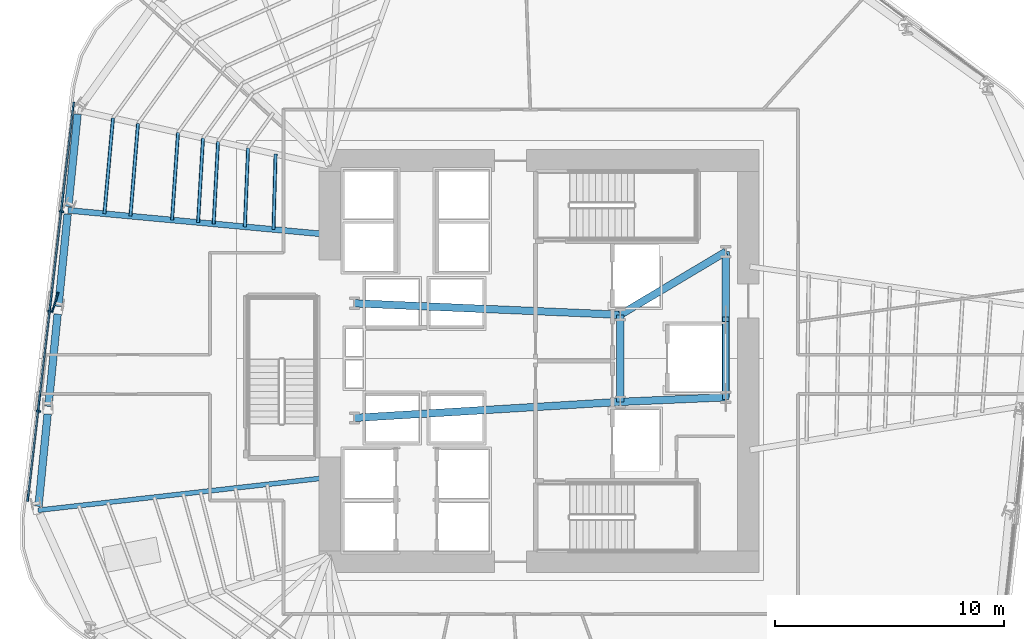
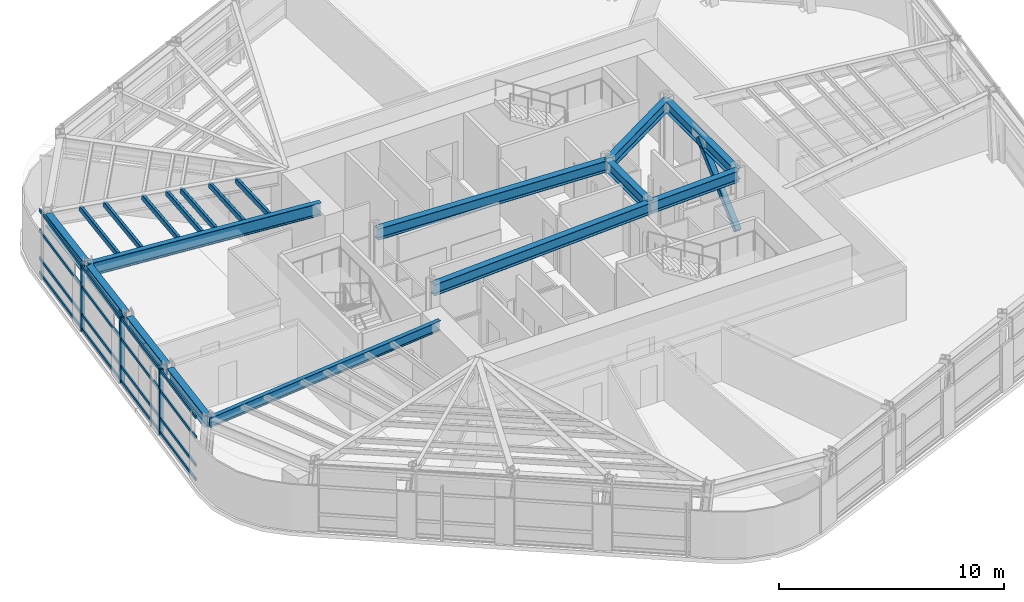
# One storey, part 4 of 16: 16 members, 12 beams, 1 element without a shape of its own.
"""IFC4 building model written with IfcOpenShell, lengths in metres."""

from ifc_helpers import new_model, si_unit, direction, frame, origin, origin_2d, place, context, subcontext, project, spatial, rectangle, hollow_rectangle, i_section, extrude, material, layer, layer_set, material_profile, profile_set, type_object, element, aggregate, save


model = new_model("IFC4")

# Units and contexts
model_context = context("Model", 3, precision=1e-05, world=origin(), true_north=direction((0.0, 1.0)))
body_context = subcontext(model_context, "Body", "Model", "MODEL_VIEW")
ifc_project = project(units=[si_unit("LENGTHUNIT", "METRE"), si_unit("AREAUNIT", "SQUARE_METRE"), si_unit("VOLUMEUNIT", "CUBIC_METRE"), si_unit("PLANEANGLEUNIT", "RADIAN"), si_unit("MASSUNIT", "GRAM", prefix="KILO")], contexts=[model_context])

# Site, building, storey
site_placement = place(None, origin())
site = spatial("IfcSite", under=ifc_project, at=site_placement, CompositionType="ELEMENT")
building_placement = place(site_placement, origin())
building = spatial("IfcBuilding", under=site, at=building_placement, Name="Valkerne Bourse Tower", CompositionType="ELEMENT")
storey_placement = place(building_placement, frame((0.0, 0.0, 123.800048828125)))
storey = spatial("IfcBuildingStorey", under=building, at=storey_placement, Name="L31", CompositionType="ELEMENT", Elevation=123.800048828125)

# Beams
ifc_material_1 = material(Name="Steel ASTM A992", Category="steel")
ifc_material_profile_1 = material_profile(ifc_material_1, i_section(OverallWidth=0.209228515625, OverallDepth=0.533447265625, WebThickness=0.01025390625, FlangeThickness=0.015625, FilletRadius=0.017822265625, at=origin_2d()), Name="W21X62")
ifc_profile_set_1 = profile_set([ifc_material_profile_1], Name="Steel ASTM A992")
beam_type_1 = type_object("IfcBeamType", Name="BM-W21X62", PredefinedType="JOIST", material=ifc_profile_set_1)
beam_1_placement = place(storey_placement, frame((24.94580078125, 20.371826171875, 3.313232421875), z_axis=(0.993690998054, 0.112152576374, 0.0), x_axis=(-0.112152576374, 0.993690998054, 0.0)))
element("IfcBeam", 1, at=beam_1_placement, inside=storey, type_object=beam_type_1, Name="L31 Radial Composite Floor Beam 14", PredefinedType="JOIST", context=body_context, shape_type="SweptSolid", body=[
    extrude(i_section(OverallWidth=0.209228515625, OverallDepth=0.533447265625, WebThickness=0.01025390625, FlangeThickness=0.015625, FilletRadius=0.017822265625, at=origin_2d()), origin(), (0.0, 0.0, 1.0), 12.734619140625),
])
ifc_material_profile_2 = material_profile(ifc_material_1, i_section(OverallWidth=0.3251953125, OverallDepth=0.612060546875, WebThickness=0.0126953125, FlangeThickness=0.01904296875, FilletRadius=0.020263671875, at=origin_2d()), Name="W24X104")
ifc_profile_set_2 = profile_set([ifc_material_profile_2], Name="Steel ASTM A992")
beam_type_2 = type_object("IfcBeamType", Name="BM-W24X104", PredefinedType="BEAM", material=ifc_profile_set_2)
beam_2_placement = place(storey_placement, frame((50.35009765625, 25.10009765625, 3.27392578125), z_axis=(0.0, 1.0, 0.0), x_axis=(-1.0, 0.0, 0.0)))
element("IfcBeam", 2, at=beam_2_placement, inside=storey, type_object=beam_type_2, Name="L31 Core Frame Girder CG-CE", PredefinedType="BEAM", context=body_context, shape_type="SweptSolid", body=[
    extrude(i_section(OverallWidth=0.3251953125, OverallDepth=0.612060546875, WebThickness=0.0126953125, FlangeThickness=0.01904296875, FilletRadius=0.020263671875, at=origin_2d()), origin(), (0.0, 0.0, 1.0), 3.7998046875),
])
beam_3_placement = place(storey_placement, frame((50.35009765625, 25.10009765625, 3.27392578125), z_axis=(0.999056558506, 0.043428019819, 0.0), x_axis=(-0.043428019819, 0.999056558506, 0.0)))
element("IfcBeam", 3, at=beam_3_placement, inside=storey, type_object=beam_type_2, Name="L31 Core Frame Girder CG-SE", PredefinedType="BEAM", context=body_context, shape_type="SweptSolid", body=[
    extrude(i_section(OverallWidth=0.3251953125, OverallDepth=0.612060546875, WebThickness=0.0126953125, FlangeThickness=0.01904296875, FilletRadius=0.020263671875, at=origin_2d()), origin(), (0.0, 0.0, 1.0), 4.604248046875),
])
beam_4_placement = place(storey_placement, frame((50.35009765625, 28.89990234375, 3.27392578125), z_axis=(0.858307823492, 0.513135148019, 0.0), x_axis=(-0.513135148019, 0.858307823492, 0.0)))
element("IfcBeam", 4, at=beam_4_placement, inside=storey, type_object=beam_type_2, Name="L31 Core Frame Girder CG-NE", PredefinedType="BEAM", context=body_context, shape_type="SweptSolid", body=[
    extrude(i_section(OverallWidth=0.3251953125, OverallDepth=0.612060546875, WebThickness=0.0126953125, FlangeThickness=0.01904296875, FilletRadius=0.020263671875, at=origin_2d()), origin(), (0.0, 0.0, 1.0), 5.359130859375),
])
beam_5_placement = place(storey_placement, frame((54.949951171875, 25.300048828125, 3.27392578125), z_axis=(0.0, 1.0, 0.0), x_axis=(-1.0, 0.0, 0.0)))
element("IfcBeam", 5, at=beam_5_placement, inside=storey, type_object=beam_type_2, Name="L31 Core Frame Girder CG-EE", PredefinedType="BEAM", context=body_context, shape_type="SweptSolid", body=[
    extrude(i_section(OverallWidth=0.3251953125, OverallDepth=0.612060546875, WebThickness=0.0126953125, FlangeThickness=0.01904296875, FilletRadius=0.020263671875, at=origin_2d()), origin(), (0.0, 0.0, 1.0), 6.349853515625),
])
beam_6_placement = place(storey_placement, frame((38.75, 24.39990234375, 3.27392578125), z_axis=(0.998183228389, 0.060251494276, 0.0), x_axis=(-0.060251494276, 0.998183228389, 0.0)))
element("IfcBeam", 6, at=beam_6_placement, inside=storey, type_object=beam_type_2, Name="L31 Core Frame Girder CG-SW", PredefinedType="BEAM", context=body_context, shape_type="SweptSolid", body=[
    extrude(i_section(OverallWidth=0.3251953125, OverallDepth=0.612060546875, WebThickness=0.0126953125, FlangeThickness=0.01904296875, FilletRadius=0.020263671875, at=origin_2d()), origin(), (0.0, 0.0, 1.0), 11.62109375),
])
beam_7_placement = place(storey_placement, frame((38.75, 29.39990234375, 3.27392578125), z_axis=(0.999072354402, -0.043063101019, 0.0), x_axis=(0.043063101019, 0.999072354402, 0.0)))
element("IfcBeam", 7, at=beam_7_placement, inside=storey, type_object=beam_type_2, Name="L31 Core Frame Girder CG-NW", PredefinedType="BEAM", context=body_context, shape_type="SweptSolid", body=[
    extrude(i_section(OverallWidth=0.3251953125, OverallDepth=0.612060546875, WebThickness=0.0126953125, FlangeThickness=0.01904296875, FilletRadius=0.020263671875, at=origin_2d()), origin(), (0.0, 0.0, 1.0), 11.61083984375),
])
ifc_material_profile_3 = material_profile(ifc_material_1, i_section(OverallWidth=0.330078125, OverallDepth=0.647705078125, WebThickness=0.0205078125, FlangeThickness=0.037109375, FilletRadius=0.020263671875, at=origin_2d()), Name="W24X192")
ifc_profile_set_3 = profile_set([ifc_material_profile_3], Name="Steel ASTM A992")
beam_type_3 = type_object("IfcBeamType", Name="BM-W24X192", PredefinedType="SPANDREL", material=ifc_profile_set_3)
for number, where, z_axis, x_axis, name in (
    (8, (26.67041015625, 37.64794921875, 3.256103515625), (-0.099336308624, -0.995053917026, 0.0), (0.995053917026, -0.099336308624, 0.0), "L31 Hexagonal Spandrel Ring Beam 10"),
    (9, (26.235107421875, 33.28662109375, 3.256103515625), (-0.099336308624, -0.995053917026, 0.0), (0.995053917026, -0.099336308624, 0.0), "L31 Hexagonal Spandrel Ring Beam 11"),
    (10, (25.799560546875, 28.92529296875, 3.256103515625), (-0.099276517152, -0.995059884199, 0.0), (0.995059884199, -0.099276517152, 0.0), "L31 Hexagonal Spandrel Ring Beam 12"),
    (11, (25.3642578125, 24.56396484375, 3.256103515625), (-0.099276517152, -0.995059884199, 0.0), (0.995059884199, -0.099276517152, 0.0), "L31 Hexagonal Spandrel Ring Beam 13"),
):
    element("IfcBeam", number, at=place(storey_placement, frame(where, z_axis=z_axis, x_axis=x_axis)), inside=storey, type_object=beam_type_3, Name=name, PredefinedType="SPANDREL", context=body_context, shape_type="SweptSolid", body=[
        extrude(i_section(OverallWidth=0.330078125, OverallDepth=0.647705078125, WebThickness=0.0205078125, FlangeThickness=0.037109375, FilletRadius=0.020263671875, at=origin_2d()), origin(), (0.0, 0.0, 1.0), 4.04296875),
    ])
ifc_material_profile_4 = material_profile(ifc_material_1, i_section(OverallWidth=0.255859375, OverallDepth=0.693359375, WebThickness=0.014404296875, FlangeThickness=0.023681640625, FilletRadius=0.02294921875, at=origin_2d()), Name="W27X114")
ifc_profile_set_4 = profile_set([ifc_material_profile_4], Name="Steel ASTM A992")
beam_type_4 = type_object("IfcBeamType", Name="BM-W27X114", PredefinedType="BEAM", material=ifc_profile_set_4)
beam_8_placement = place(storey_placement, frame((26.251953125, 33.455810546875, 3.233154296875), z_axis=(0.995699056375, -0.092646581877, 0.0), x_axis=(0.092646581877, 0.995699056375, 0.0)))
element("IfcBeam", 12, at=beam_8_placement, inside=storey, type_object=beam_type_4, Name="L31 Radial Composite Floor Beam 11", PredefinedType="BEAM", context=body_context, shape_type="SweptSolid", body=[
    extrude(i_section(OverallWidth=0.255859375, OverallDepth=0.693359375, WebThickness=0.014404296875, FlangeThickness=0.023681640625, FilletRadius=0.02294921875, at=origin_2d()), origin(), (0.0, 0.0, 1.0), 11.397216796875),
])

# Curtain wall, members
ifc_material_2 = material(Name="Aluminium AA 6063-T6", Category="aluminium")
ifc_layer = layer(ifc_material_2, 0.22998046875)
ifc_layer_set = layer_set([ifc_layer], Name="Aluminium AA 6063-T6")
curtain_wall_type = type_object("IfcCurtainWallType", Name="CW-02", PredefinedType="NOTDEFINED", material=ifc_layer_set)
curtain_wall_placement = place(storey_placement, origin())
curtain_wall = element("IfcCurtainWall", 13, at=curtain_wall_placement, inside=storey, type_object=curtain_wall_type, Name="L31 Hexagonal Stick Curtain Wall Face 3", PredefinedType="NOTDEFINED")
ifc_material_profile_5 = material_profile(ifc_material_2, rectangle(XDim=0.074951171875, YDim=0.199951171875, at=origin_2d()), Name="CWM-75X200")
ifc_profile_set_5 = profile_set([ifc_material_profile_5], Name="Aluminium AA 6063-T6")
member_type_1 = type_object("IfcMemberType", Name="CW-MUL-220X75", PredefinedType="MULLION", material=ifc_profile_set_5)
member_1_placement = place(storey_placement, frame((25.9697265625, 33.399658203125, 0.0), z_axis=(0.0, 0.0, 1.0), x_axis=(-0.114945386711, -0.993371812603, 0.0)))
member_1 = element("IfcMember", 14, at=member_1_placement, type_object=member_type_1, Name="CW-L31-F3 Jamb Mullion 01A", PredefinedType="MULLION", context=body_context, shape_type="SweptSolid", body=[
    extrude(rectangle(XDim=0.074951171875, YDim=0.199951171875, at=origin_2d()), origin(), (0.0, 0.0, 1.0), 3.579833984375),
])
member_2_placement = place(storey_placement, frame((25.466064453125, 29.045654296875, 0.0), z_axis=(0.0, 0.0, 1.0), x_axis=(-0.114920267773, -0.993374718852, 0.0)))
member_2 = element("IfcMember", 15, at=member_2_placement, type_object=member_type_1, Name="CW-L31-F3 Jamb Mullion 02A", PredefinedType="MULLION", context=body_context, shape_type="SweptSolid", body=[
    extrude(rectangle(XDim=0.074951171875, YDim=0.199951171875, at=origin_2d()), origin(), (0.0, 0.0, 1.0), 3.579833984375),
])
member_3_placement = place(storey_placement, frame((24.96240234375, 24.691650390625, 0.0), z_axis=(0.0, 0.0, 1.0), x_axis=(-0.114945386711, -0.993371812603, 0.0)))
member_3 = element("IfcMember", 16, at=member_3_placement, type_object=member_type_1, Name="CW-L31-F3 Jamb Mullion 03A", PredefinedType="MULLION", context=body_context, shape_type="SweptSolid", body=[
    extrude(rectangle(XDim=0.074951171875, YDim=0.199951171875, at=origin_2d()), origin(), (0.0, 0.0, 1.0), 3.579833984375),
])
ifc_material_profile_6 = material_profile(ifc_material_2, rectangle(XDim=0.074951171875, YDim=0.14990234375, at=origin_2d()), Name="CWT-75X150")
ifc_profile_set_6 = profile_set([ifc_material_profile_6], Name="Aluminium AA 6063-T6")
member_type_2 = type_object("IfcMemberType", Name="CW-TRN-180X65", PredefinedType="USERDEFINED", material=ifc_profile_set_6)
member_4_placement = place(storey_placement, frame((26.501953125, 38.173095703125, 0.119873046875), z_axis=(-0.114940708063, -0.993372353969, 0.0), x_axis=(0.993372353969, -0.114940708063, 0.0)))
member_4 = element("IfcMember", 17, at=member_4_placement, type_object=member_type_2, Name="CW-L31-F3 Continuous Face Transom 1", ObjectType="TRANSOM", PredefinedType="USERDEFINED", context=body_context, shape_type="SweptSolid", body=[
    extrude(rectangle(XDim=0.074951171875, YDim=0.14990234375, at=origin_2d()), origin(), (0.0, 0.0, 1.0), 17.531982421875),
])
member_5_placement = place(storey_placement, frame((26.501953125, 38.173095703125, 0.89990234375), z_axis=(-0.114940708063, -0.993372353969, 0.0), x_axis=(0.993372353969, -0.114940708063, 0.0)))
member_5 = element("IfcMember", 18, at=member_5_placement, type_object=member_type_2, Name="CW-L31-F3 Continuous Face Transom 2", ObjectType="TRANSOM", PredefinedType="USERDEFINED", context=body_context, shape_type="SweptSolid", body=[
    extrude(rectangle(XDim=0.074951171875, YDim=0.14990234375, at=origin_2d()), origin(), (0.0, 0.0, 1.0), 17.531982421875),
])
member_6_placement = place(storey_placement, frame((26.501953125, 38.173095703125, 2.39990234375), z_axis=(-0.114940708063, -0.993372353969, 0.0), x_axis=(0.993372353969, -0.114940708063, 0.0)))
member_6 = element("IfcMember", 19, at=member_6_placement, type_object=member_type_2, Name="CW-L31-F3 Continuous Face Transom 3", ObjectType="TRANSOM", PredefinedType="USERDEFINED", context=body_context, shape_type="SweptSolid", body=[
    extrude(rectangle(XDim=0.074951171875, YDim=0.14990234375, at=origin_2d()), origin(), (0.0, 0.0, 1.0), 17.531982421875),
])
member_7_placement = place(storey_placement, frame((26.501953125, 38.173095703125, 3.5), z_axis=(-0.114940708063, -0.993372353969, 0.0), x_axis=(0.993372353969, -0.114940708063, 0.0)))
member_7 = element("IfcMember", 20, at=member_7_placement, type_object=member_type_2, Name="CW-L31-F3 Continuous Face Transom 4", ObjectType="TRANSOM", PredefinedType="USERDEFINED", context=body_context, shape_type="SweptSolid", body=[
    extrude(rectangle(XDim=0.074951171875, YDim=0.14990234375, at=origin_2d()), origin(), (0.0, 0.0, 1.0), 17.531982421875),
])
aggregate(curtain_wall, [member_4, member_5, member_6, member_7, member_1, member_2, member_3])

# Members
ifc_material_3 = material(Name="Bronze Anodised Aluminium AA 6063-T6", Category="aluminium")
ifc_material_profile_7 = material_profile(ifc_material_3, rectangle(XDim=0.070068359375, YDim=0.89990234375, at=origin_2d()), Name="FIN-70X900")
ifc_profile_set_7 = profile_set([ifc_material_profile_7], Name="Bronze Anodised Aluminium AA 6063-T6")
member_type_3 = type_object("IfcMemberType", Name="FIN-SOLAR-900", PredefinedType="USERDEFINED", material=ifc_profile_set_7)
member_8_placement = place(storey_placement, frame((25.693115234375, 29.442138671875, 0.00390625), z_axis=(0.0, 0.0, 1.0), x_axis=(-0.954557195547, 0.298027784659, 0.0)))
element("IfcMember", 21, at=member_8_placement, inside=storey, type_object=member_type_3, Name="L31 Bronze Anodised Solar Fin F3-02", ObjectType="SOLAR_FIN", PredefinedType="USERDEFINED", context=body_context, shape_type="SweptSolid", body=[
    extrude(rectangle(XDim=0.070068359375, YDim=0.89990234375, at=origin_2d()), origin(), (0.0, 0.0, 1.0), 3.572021484375),
])
ifc_material_4 = material(Name="Steel ASTM A500 Grade C", Category="steel")
ifc_material_profile_8 = material_profile(ifc_material_4, hollow_rectangle(XDim=0.14990234375, YDim=0.300048828125, WallThickness=0.012451171875, OuterFilletRadius=0.02490234375, at=origin_2d()), Name="HSS300X150X12.5")
ifc_profile_set_8 = profile_set([ifc_material_profile_8], Name="Steel ASTM A500 Grade C")
member_type_4 = type_object("IfcMemberType", Name="MBR-HSS300X150X12.5", PredefinedType="PURLIN", material=ifc_profile_set_8)
member_9_placement = place(storey_placement, frame((34.10791015625, 36.173583984375, 3.419921875), z_axis=(-0.040540792428, -0.999177884137, 0.0), x_axis=(0.999177884137, -0.040540792428, 0.0)))
element("IfcMember", 22, at=member_9_placement, inside=storey, type_object=member_type_4, Name="L31 Secondary Composite Floor Purlin I-10", PredefinedType="PURLIN", context=body_context, shape_type="SweptSolid", body=[
    extrude(hollow_rectangle(XDim=0.14990234375, YDim=0.300048828125, WallThickness=0.012451171875, OuterFilletRadius=0.02490234375, at=origin_2d()), origin(), (0.0, 0.0, 1.0), 3.438720703125),
])
member_10_placement = place(storey_placement, frame((32.79833984375, 36.46337890625, 3.419921875), z_axis=(-0.053177483559, -0.998585076617, 0.0), x_axis=(0.998585076617, -0.053177483559, 0.0)))
element("IfcMember", 23, at=member_10_placement, inside=storey, type_object=member_type_4, Name="L31 Secondary Composite Floor Purlin K-10", PredefinedType="PURLIN", context=body_context, shape_type="SweptSolid", body=[
    extrude(hollow_rectangle(XDim=0.14990234375, YDim=0.300048828125, WallThickness=0.012451171875, OuterFilletRadius=0.02490234375, at=origin_2d()), origin(), (0.0, 0.0, 1.0), 3.60400390625),
])
member_11_placement = place(storey_placement, frame((32.1435546875, 36.608642578125, 3.419921875), z_axis=(-0.058997611327, -0.998258123863, 0.0), x_axis=(0.998258123863, -0.058997611327, 0.0)))
element("IfcMember", 24, at=member_11_placement, inside=storey, type_object=member_type_4, Name="L31 Secondary Composite Floor Purlin M-10", PredefinedType="PURLIN", context=body_context, shape_type="SweptSolid", body=[
    extrude(hollow_rectangle(XDim=0.14990234375, YDim=0.300048828125, WallThickness=0.012451171875, OuterFilletRadius=0.02490234375, at=origin_2d()), origin(), (0.0, 0.0, 1.0), 3.68701171875),
])
member_12_placement = place(storey_placement, frame((29.306396484375, 37.237060546875, 3.419921875), z_axis=(-0.081777696161, -0.996650594948, 0.0), x_axis=(0.996650594948, -0.081777696161, 0.0)))
element("IfcMember", 25, at=member_12_placement, inside=storey, type_object=member_type_4, Name="L31 Secondary Composite Floor Purlin O-10", PredefinedType="PURLIN", context=body_context, shape_type="SweptSolid", body=[
    extrude(hollow_rectangle(XDim=0.14990234375, YDim=0.300048828125, WallThickness=0.012451171875, OuterFilletRadius=0.02490234375, at=origin_2d()), origin(), (0.0, 0.0, 1.0), 4.04833984375),
])
member_13_placement = place(storey_placement, frame((31.05224609375, 36.850341796875, 3.419921875), z_axis=(-0.068280847464, -0.997666139482, 0.0), x_axis=(0.997666139482, -0.068280847464, 0.0)))
element("IfcMember", 26, at=member_13_placement, inside=storey, type_object=member_type_4, Name="L31 Secondary Composite Floor Purlin Z-10", PredefinedType="PURLIN", context=body_context, shape_type="SweptSolid", body=[
    extrude(hollow_rectangle(XDim=0.14990234375, YDim=0.300048828125, WallThickness=0.012451171875, OuterFilletRadius=0.02490234375, at=origin_2d()), origin(), (0.0, 0.0, 1.0), 3.825927734375),
])
member_14_placement = place(storey_placement, frame((35.308349609375, 35.90771484375, 3.419921875), z_axis=(-0.027849520623, -0.999612126878, 0.0), x_axis=(0.999612126878, -0.027849520623, 0.0)))
element("IfcMember", 27, at=member_14_placement, inside=storey, type_object=member_type_4, Name="L31 Secondary Composite Floor Purlin S-10", PredefinedType="PURLIN", context=body_context, shape_type="SweptSolid", body=[
    extrude(hollow_rectangle(XDim=0.14990234375, YDim=0.300048828125, WallThickness=0.012451171875, OuterFilletRadius=0.02490234375, at=origin_2d()), origin(), (0.0, 0.0, 1.0), 3.287353515625),
])
member_15_placement = place(storey_placement, frame((28.215087890625, 37.478759765625, 3.419921875), z_axis=(-0.089437011352, -0.995992480394, 0.0), x_axis=(0.995992480394, -0.089437011352, 0.0)))
element("IfcMember", 28, at=member_15_placement, inside=storey, type_object=member_type_4, Name="L31 Secondary Composite Floor Purlin T-10", PredefinedType="PURLIN", context=body_context, shape_type="SweptSolid", body=[
    extrude(hollow_rectangle(XDim=0.14990234375, YDim=0.300048828125, WallThickness=0.012451171875, OuterFilletRadius=0.02490234375, at=origin_2d()), origin(), (0.0, 0.0, 1.0), 4.1875),
])
ifc_material_profile_9 = material_profile(ifc_material_4, hollow_rectangle(XDim=0.300048828125, YDim=0.300048828125, WallThickness=0.012451171875, OuterFilletRadius=0.02490234375, at=origin_2d()), Name="HSS300X300X12.5")
ifc_profile_set_9 = profile_set([ifc_material_profile_9], Name="Steel ASTM A500 Grade C")
member_type_5 = type_object("IfcMemberType", Name="MBR-HSS300X300X12.5", PredefinedType="STRUT", material=ifc_profile_set_9)
member_16_placement = place(storey_placement, frame((54.949951171875, 25.300048828125, 0.219970703125), z_axis=(0.0, 0.743941933778, 0.668244266094), x_axis=(-1.0, 0.0, 0.0)))
element("IfcMember", 29, at=member_16_placement, inside=storey, type_object=member_type_5, Name="L31 Core Service Pier Lateral Brace", PredefinedType="STRUT", context=body_context, shape_type="SweptSolid", body=[
    extrude(hollow_rectangle(XDim=0.300048828125, YDim=0.300048828125, WallThickness=0.012451171875, OuterFilletRadius=0.02490234375, at=origin_2d()), origin(), (0.0, 0.0, 1.0), 4.570068359375),
])

save(model, "model.ifc")
